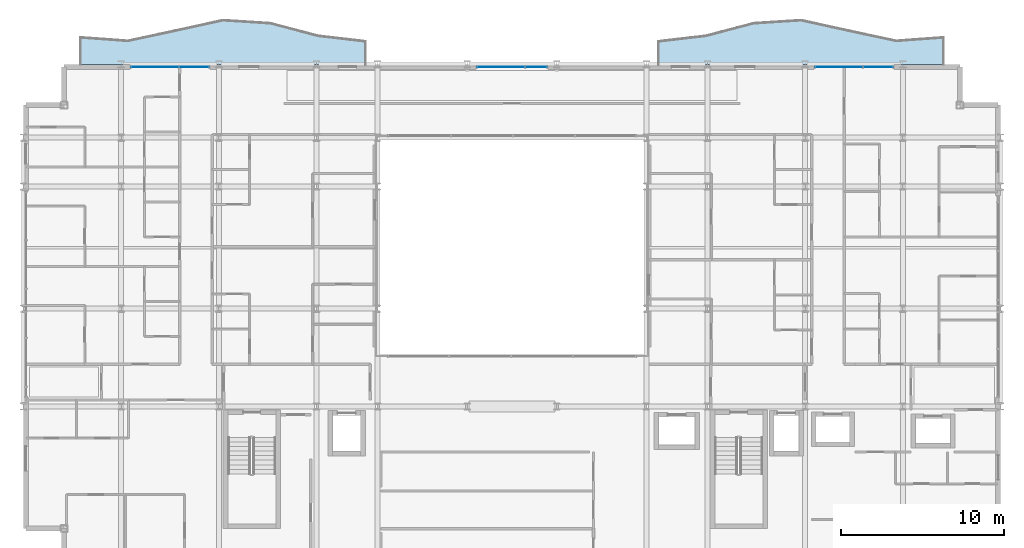
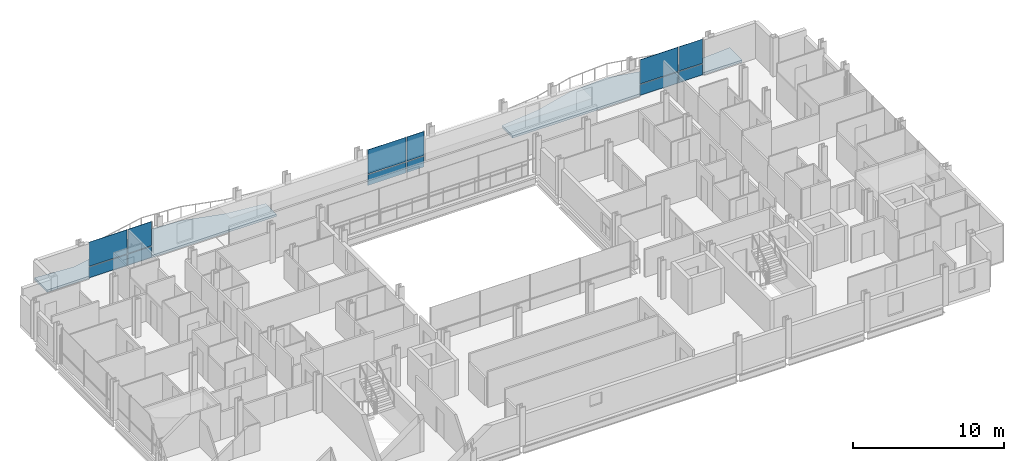
# One storey, part 29 of 41: 12 plates, 2 slabs, 3 elements without a shape of their own.
"""IFC4 building model written with IfcOpenShell, lengths in metres."""

from ifc_helpers import new_model, si_unit, direction, frame, origin, origin_2d, place, context, subcontext, project, spatial, polyline, rectangle, outline, extrude, material, layer, layer_set, type_object, element, aggregate, save


model = new_model("IFC4")

# Units and contexts
model_context = context("Model", 3, precision=1e-05, world=origin(), true_north=direction((0.0, 1.0)))
body_context = subcontext(model_context, "Body", "Model", "MODEL_VIEW")
ifc_project = project(units=[si_unit("LENGTHUNIT", "METRE"), si_unit("AREAUNIT", "SQUARE_METRE"), si_unit("VOLUMEUNIT", "CUBIC_METRE"), si_unit("PLANEANGLEUNIT", "RADIAN"), si_unit("MASSUNIT", "GRAM", prefix="KILO")], contexts=[model_context])

# Site, building, storey
site_placement = place(None, origin())
site = spatial("IfcSite", under=ifc_project, at=site_placement, CompositionType="ELEMENT")
building_placement = place(site_placement, origin())
building = spatial("IfcBuilding", under=site, at=building_placement, Name="Brevholm Reach", CompositionType="ELEMENT")
storey_placement = place(building_placement, frame((0.0, 0.0, 86.89990234375)))
storey = spatial("IfcBuildingStorey", under=building, at=storey_placement, Name="L25", CompositionType="ELEMENT", Elevation=86.89990234375)

# Curtain wall, plates
ifc_material_1 = material(Name="Dark Anodised Aluminium 6063-T6 and Solar-Control Glass", Category="aluminium")
ifc_layer_1 = layer(ifc_material_1, 0.14990234375)
ifc_layer_set_1 = layer_set([ifc_layer_1], Name="Dark Anodised Aluminium 6063-T6 and Solar-Control Glass")
curtain_wall_type = type_object("IfcCurtainWallType", Name="CW-01", PredefinedType="NOTDEFINED", material=ifc_layer_set_1)
curtain_wall_1_placement = place(storey_placement, origin())
curtain_wall_1 = element("IfcCurtainWall", 1, at=curtain_wall_1_placement, inside=storey, type_object=curtain_wall_type, Name="L25 Curtain Wall CW-01", PredefinedType="NOTDEFINED")
ifc_material_2 = material(Name="Dark Solar-Control Double-Glazed IGU Glass", Category="glass")
ifc_layer_2 = layer(ifc_material_2, 0.028076171875)
ifc_layer_set_2 = layer_set([ifc_layer_2], Name="Dark Solar-Control Double-Glazed IGU Glass")
plate_type = type_object("IfcPlateType", Name="CWP-GLZ-28", PredefinedType="CURTAIN_PANEL", material=ifc_layer_set_2)
plate_1_placement = place(storey_placement, frame((8.066162109375, 30.85009765625, 0.0), z_axis=(0.0, 0.0, 1.0), x_axis=(1.0, 0.0, 0.0)))
plate_1 = element("IfcPlate", 2, at=plate_1_placement, type_object=plate_type, Name="CP-01 Glazing Panel 1.1", PredefinedType="CURTAIN_PANEL", context=body_context, shape_type="SweptSolid", body=[
    extrude(rectangle(XDim=2.902587890625, YDim=0.028076171875, at=origin_2d()), origin(), (0.0, 0.0, 1.0), 0.867431640625),
])
plate_2_placement = place(storey_placement, frame((8.066162109375, 30.85009765625, 0.9326171875), z_axis=(0.0, 0.0, 1.0), x_axis=(1.0, 0.0, 0.0)))
plate_2 = element("IfcPlate", 3, at=plate_2_placement, type_object=plate_type, Name="CP-01 Glazing Panel 1.2", PredefinedType="CURTAIN_PANEL", context=body_context, shape_type="SweptSolid", body=[
    extrude(rectangle(XDim=2.902587890625, YDim=0.028076171875, at=origin_2d()), origin(), (0.0, 0.0, 1.0), 1.9375),
])
plate_3_placement = place(storey_placement, frame((10.483642578125, 30.85009765625, 0.0), z_axis=(0.0, 0.0, 1.0), x_axis=(1.0, 0.0, 0.0)))
plate_3 = element("IfcPlate", 4, at=plate_3_placement, type_object=plate_type, Name="CP-01 Glazing Panel 2.1", PredefinedType="CURTAIN_PANEL", context=body_context, shape_type="SweptSolid", body=[
    extrude(rectangle(XDim=1.802490234375, YDim=0.028076171875, at=origin_2d()), origin(), (0.0, 0.0, 1.0), 0.867431640625),
])
plate_4_placement = place(storey_placement, frame((10.483642578125, 30.85009765625, 0.9326171875), z_axis=(0.0, 0.0, 1.0), x_axis=(1.0, 0.0, 0.0)))
plate_4 = element("IfcPlate", 5, at=plate_4_placement, type_object=plate_type, Name="CP-01 Glazing Panel 2.2", PredefinedType="CURTAIN_PANEL", context=body_context, shape_type="SweptSolid", body=[
    extrude(rectangle(XDim=1.802490234375, YDim=0.028076171875, at=origin_2d()), origin(), (0.0, 0.0, 1.0), 1.9375),
])
aggregate(curtain_wall_1, [plate_1, plate_2, plate_3, plate_4])

curtain_wall_2_placement = place(storey_placement, origin())
curtain_wall_2 = element("IfcCurtainWall", 6, at=curtain_wall_2_placement, inside=storey, type_object=curtain_wall_type, Name="L25 Curtain Wall CW-01", PredefinedType="NOTDEFINED")
plate_5_placement = place(storey_placement, frame((29.316162109375, 30.85009765625, 0.0), z_axis=(0.0, 0.0, 1.0), x_axis=(1.0, 0.0, 0.0)))
plate_5 = element("IfcPlate", 7, at=plate_5_placement, type_object=plate_type, Name="CP-01 Glazing Panel 1.1", PredefinedType="CURTAIN_PANEL", context=body_context, shape_type="SweptSolid", body=[
    extrude(rectangle(XDim=2.902587890625, YDim=0.028076171875, at=origin_2d()), origin(), (0.0, 0.0, 1.0), 0.867431640625),
])
plate_6_placement = place(storey_placement, frame((29.316162109375, 30.85009765625, 0.9326171875), z_axis=(0.0, 0.0, 1.0), x_axis=(1.0, 0.0, 0.0)))
plate_6 = element("IfcPlate", 8, at=plate_6_placement, type_object=plate_type, Name="CP-01 Glazing Panel 1.2", PredefinedType="CURTAIN_PANEL", context=body_context, shape_type="SweptSolid", body=[
    extrude(rectangle(XDim=2.902587890625, YDim=0.028076171875, at=origin_2d()), origin(), (0.0, 0.0, 1.0), 1.9375),
])
plate_7_placement = place(storey_placement, frame((31.483642578125, 30.85009765625, 0.0), z_axis=(0.0, 0.0, 1.0), x_axis=(1.0, 0.0, 0.0)))
plate_7 = element("IfcPlate", 9, at=plate_7_placement, type_object=plate_type, Name="CP-01 Glazing Panel 2.1", PredefinedType="CURTAIN_PANEL", context=body_context, shape_type="SweptSolid", body=[
    extrude(rectangle(XDim=1.302490234375, YDim=0.028076171875, at=origin_2d()), origin(), (0.0, 0.0, 1.0), 0.867431640625),
])
plate_8_placement = place(storey_placement, frame((31.483642578125, 30.85009765625, 0.9326171875), z_axis=(0.0, 0.0, 1.0), x_axis=(1.0, 0.0, 0.0)))
plate_8 = element("IfcPlate", 10, at=plate_8_placement, type_object=plate_type, Name="CP-01 Glazing Panel 2.2", PredefinedType="CURTAIN_PANEL", context=body_context, shape_type="SweptSolid", body=[
    extrude(rectangle(XDim=1.302490234375, YDim=0.028076171875, at=origin_2d()), origin(), (0.0, 0.0, 1.0), 1.9375),
])
aggregate(curtain_wall_2, [plate_5, plate_6, plate_7, plate_8])

curtain_wall_3_placement = place(storey_placement, origin())
curtain_wall_3 = element("IfcCurtainWall", 11, at=curtain_wall_3_placement, inside=storey, type_object=curtain_wall_type, Name="L25 Curtain Wall CW-01", PredefinedType="NOTDEFINED")
plate_9_placement = place(storey_placement, frame((50.066162109375, 30.85009765625, 0.0), z_axis=(0.0, 0.0, 1.0), x_axis=(1.0, 0.0, 0.0)))
plate_9 = element("IfcPlate", 12, at=plate_9_placement, type_object=plate_type, Name="CP-01 Glazing Panel 1.1", PredefinedType="CURTAIN_PANEL", context=body_context, shape_type="SweptSolid", body=[
    extrude(rectangle(XDim=2.902587890625, YDim=0.028076171875, at=origin_2d()), origin(), (0.0, 0.0, 1.0), 0.867431640625),
])
plate_10_placement = place(storey_placement, frame((50.066162109375, 30.85009765625, 0.9326171875), z_axis=(0.0, 0.0, 1.0), x_axis=(1.0, 0.0, 0.0)))
plate_10 = element("IfcPlate", 13, at=plate_10_placement, type_object=plate_type, Name="CP-01 Glazing Panel 1.2", PredefinedType="CURTAIN_PANEL", context=body_context, shape_type="SweptSolid", body=[
    extrude(rectangle(XDim=2.902587890625, YDim=0.028076171875, at=origin_2d()), origin(), (0.0, 0.0, 1.0), 1.9375),
])
plate_11_placement = place(storey_placement, frame((52.483642578125, 30.85009765625, 0.0), z_axis=(0.0, 0.0, 1.0), x_axis=(1.0, 0.0, 0.0)))
plate_11 = element("IfcPlate", 14, at=plate_11_placement, type_object=plate_type, Name="CP-01 Glazing Panel 2.1", PredefinedType="CURTAIN_PANEL", context=body_context, shape_type="SweptSolid", body=[
    extrude(rectangle(XDim=1.802490234375, YDim=0.028076171875, at=origin_2d()), origin(), (0.0, 0.0, 1.0), 0.867431640625),
])
plate_12_placement = place(storey_placement, frame((52.483642578125, 30.85009765625, 0.9326171875), z_axis=(0.0, 0.0, 1.0), x_axis=(1.0, 0.0, 0.0)))
plate_12 = element("IfcPlate", 15, at=plate_12_placement, type_object=plate_type, Name="CP-01 Glazing Panel 2.2", PredefinedType="CURTAIN_PANEL", context=body_context, shape_type="SweptSolid", body=[
    extrude(rectangle(XDim=1.802490234375, YDim=0.028076171875, at=origin_2d()), origin(), (0.0, 0.0, 1.0), 1.9375),
])
aggregate(curtain_wall_3, [plate_9, plate_10, plate_11, plate_12])

# Slabs
ifc_material_3 = material(Name="Precast Concrete C40/50", Category="concrete")
ifc_layer_3 = layer(ifc_material_3, 0.179931640625)
ifc_layer_set_3 = layer_set([ifc_layer_3], Name="Precast Concrete C40/50")
slab_type = type_object("IfcSlabType", Name="SLB-BAL-180", PredefinedType="FLOOR", material=ifc_layer_set_3)
slab_1_placement = place(storey_placement, frame((0.0, 0.0, -0.179931640625)))
element("IfcSlab", 16, at=slab_1_placement, inside=storey, type_object=slab_type, Name="L25 Rippling External Balcony NE", PredefinedType="FLOOR", context=body_context, shape_type="SweptSolid", body=[
    extrude(outline(polyline([(39.0, 31.0), (56.5, 31.0), (56.5, 32.650146484375), (53.583251953125, 32.436767578125), (50.666748046875, 33.063232421875), (47.75, 33.705078125), (44.833251953125, 33.517822265625), (41.916748046875, 32.747802734375), (39.0, 32.408203125), (39.0, 31.0)])), origin(), (0.0, 0.0, 1.0), 0.179931640625),
])
slab_2_placement = place(storey_placement, frame((0.0, 0.0, -0.179931640625)))
element("IfcSlab", 17, at=slab_2_placement, inside=storey, type_object=slab_type, Name="L25 Rippling External Balcony NW", PredefinedType="FLOOR", context=body_context, shape_type="SweptSolid", body=[
    extrude(outline(polyline([(3.5, 31.0), (21.0, 31.0), (21.0, 32.408203125), (18.083251953125, 32.747802734375), (15.166748046875, 33.517822265625), (12.25, 33.705078125), (9.333251953125, 33.063232421875), (6.416748046875, 32.436767578125), (3.5, 32.650146484375), (3.5, 31.0)])), origin(), (0.0, 0.0, 1.0), 0.179931640625),
])

save(model, "model.ifc")
